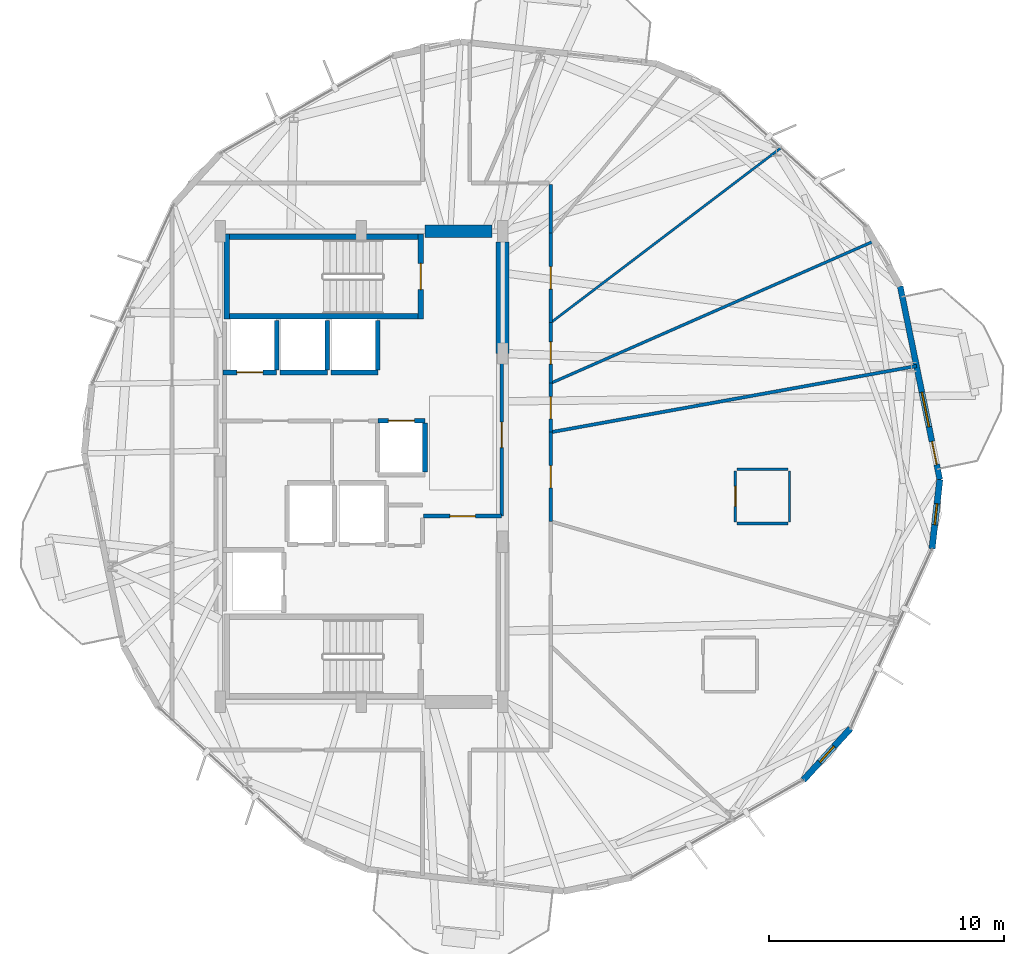
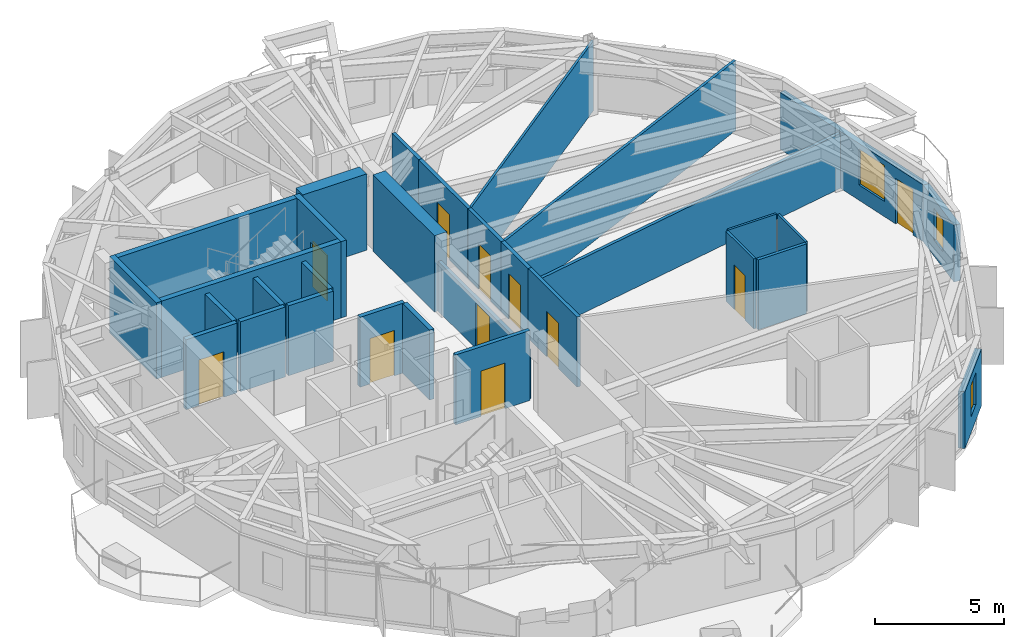
# One storey, part 18 of 22: 31 walls, 11 doors, 3 windows, 14 openings.
"""IFC4 building model written with IfcOpenShell, lengths in metres."""

from ifc_helpers import new_model, si_unit, direction, frame, frame_2d, origin, place, context, subcontext, project, spatial, rectangle, extrude, material, layer, layer_set, type_object, element, fill, save


model = new_model("IFC4")

# Units and contexts
model_context = context("Model", 3, precision=1e-05, world=origin(), true_north=direction((0.0, 1.0)))
body_context = subcontext(model_context, "Body", "Model", "MODEL_VIEW")
ifc_project = project(units=[si_unit("LENGTHUNIT", "METRE"), si_unit("AREAUNIT", "SQUARE_METRE"), si_unit("VOLUMEUNIT", "CUBIC_METRE"), si_unit("PLANEANGLEUNIT", "RADIAN"), si_unit("MASSUNIT", "GRAM", prefix="KILO")], contexts=[model_context])

# Site, building, storey
site_placement = place(None, origin())
site = spatial("IfcSite", under=ifc_project, at=site_placement, CompositionType="ELEMENT")
building_placement = place(site_placement, origin())
building = spatial("IfcBuilding", under=site, at=building_placement, Name="Soratama Intermodal Tower", CompositionType="ELEMENT")
storey_placement = place(building_placement, frame((0.0, 0.0, 142.60009765625)))
storey = spatial("IfcBuildingStorey", under=building, at=storey_placement, Name="L34", CompositionType="ELEMENT", Elevation=142.60009765625)

# Wall, openings, door, window
ifc_material_1 = material(Name="Concrete f'c 42 MPa", Category="concrete")
ifc_layer_1 = layer(ifc_material_1, 0.25)
ifc_layer_set_1 = layer_set([ifc_layer_1], Name="Concrete f'c 42 MPa")
wall_type_1 = type_object("IfcWallType", Name="EW-BAL-250", PredefinedType="SOLIDWALL", material=ifc_layer_set_1)
wall_1_placement = place(storey_placement, frame((63.181884765625, 24.44677734375, 0.0), z_axis=(0.0, 0.0, 1.0), x_axis=(-0.200734189033, 0.979645744825, 0.0)))
wall_1 = element("IfcWall", 1, at=wall_1_placement, inside=storey, type_object=wall_type_1, Name="L34 Terrace Wall F10", PredefinedType="SOLIDWALL", context=body_context, shape_type="SweptSolid", body=[
    extrude(rectangle(XDim=8.383544921875, YDim=0.25, at=frame_2d((4.19189453125, 0.0))), origin(), (0.0, 0.0, 1.0), 2.678955078125),
])
opening_1_placement = place(wall_1_placement, frame((0.64990234375, 0.0, 0.0)))
opening_1 = element("IfcOpeningElement", 2, at=opening_1_placement, cuts=wall_1, Name="Opening ED-2", PredefinedType="OPENING", context=body_context, shape_type="SweptSolid", body=[
    extrude(rectangle(XDim=1.0, YDim=2.14990234375, at=frame_2d((0.5, 1.074951171875))), frame((0.0, 0.135009765625, 0.0), z_axis=(0.0, -1.0, 0.0), x_axis=(1.0, 0.0, 0.0)), (0.0, 0.0, 1.0), 0.27001953125),
])
opening_2_placement = place(wall_1_placement, frame((2.2900390625, 0.0, 0.719970703125)))
opening_2 = element("IfcOpeningElement", 3, at=opening_2_placement, cuts=wall_1, Name="Opening WN-1", PredefinedType="OPENING", context=body_context, shape_type="SweptSolid", body=[
    extrude(rectangle(XDim=1.5, YDim=1.699951171875, at=frame_2d((0.75, 0.85009765625))), frame((0.0, 0.135009765625, 0.0), z_axis=(0.0, -1.0, 0.0), x_axis=(1.0, 0.0, 0.0)), (0.0, 0.0, 1.0), 0.27001953125),
])
ifc_material_2 = material(Name="Double-glazed aluminium door", Category="aluminium")
door_type_1 = type_object("IfcDoorType", Name="DR-BAL-1000", OperationType="NOTDEFINED", PredefinedType="DOOR", material=ifc_material_2)
door_1_placement = place(opening_1_placement, origin())
door_1 = element("IfcDoor", 4, at=door_1_placement, inside=storey, type_object=door_type_1, Name="L34 Balcony Door F10", OperationType="SINGLE_SWING_RIGHT", OverallHeight=2.14990234375, OverallWidth=1.0, PredefinedType="DOOR", context=body_context, shape_type="SweptSolid", body=[
    extrude(rectangle(XDim=1.0, YDim=2.14990234375, at=frame_2d((0.5, 1.074951171875))), frame((0.0, 0.02490234375, 0.0), z_axis=(0.0, -1.0, 0.0), x_axis=(1.0, 0.0, 0.0)), (0.0, 0.0, 1.0), 0.050048828125),
])
fill(opening_1, door_1)
ifc_material_3 = material(Name="Double-glazed aluminium window", Category="aluminium")
window_type_1 = type_object("IfcWindowType", Name="WN-FAC-1500", PartitioningType="SINGLE_PANEL", PredefinedType="WINDOW", material=ifc_material_3)
window_1_placement = place(opening_2_placement, origin())
window_1 = element("IfcWindow", 5, at=window_1_placement, inside=storey, type_object=window_type_1, Name="L34 Window B F10", OverallHeight=1.699951171875, OverallWidth=1.5, PartitioningType="SINGLE_PANEL", PredefinedType="WINDOW", context=body_context, shape_type="SweptSolid", body=[
    extrude(rectangle(XDim=1.5, YDim=1.699951171875, at=frame_2d((0.75, 0.85009765625))), frame((0.0, 0.030029296875, 0.0), z_axis=(0.0, -1.0, 0.0), x_axis=(1.0, 0.0, 0.0)), (0.0, 0.0, 1.0), 0.06005859375),
])
fill(opening_2, window_1)

# Wall, opening, window
ifc_material_4 = material(Name="Concrete f'c 42 MPa", Category="concrete")
ifc_layer_2 = layer(ifc_material_4, 0.27001953125)
ifc_layer_set_2 = layer_set([ifc_layer_2], Name="Concrete f'c 42 MPa")
wall_type_2 = type_object("IfcWallType", Name="EW-CRN-270", PredefinedType="SOLIDWALL", material=ifc_layer_set_2)
wall_2_placement = place(storey_placement, frame((57.38330078125, 11.67529296875, 0.0), z_axis=(0.0, 0.0, 1.0), x_axis=(0.67449763944, 0.738277003834, 0.0)))
wall_2 = element("IfcWall", 6, at=wall_2_placement, inside=storey, type_object=wall_type_2, Name="L34 Corner Closure Wall 08", PredefinedType="SOLIDWALL", context=body_context, shape_type="SweptSolid", body=[
    extrude(rectangle(XDim=2.966552734375, YDim=0.27001953125, at=frame_2d((1.4833984375, 0.0))), origin(), (0.0, 0.0, 1.0), 2.678955078125),
])
opening_3_placement = place(wall_2_placement, frame((1.033203125, 0.0, 0.75)))
opening_3 = element("IfcOpeningElement", 7, at=opening_3_placement, cuts=wall_2, Name="Opening WN-6", PredefinedType="OPENING", context=body_context, shape_type="SweptSolid", body=[
    extrude(rectangle(XDim=0.89990234375, YDim=1.5, at=frame_2d((0.449951171875, 0.75))), frame((0.0, 0.14501953125, 0.0), z_axis=(0.0, -1.0, 0.0), x_axis=(1.0, 0.0, 0.0)), (0.0, 0.0, 1.0), 0.2900390625),
])
ifc_material_5 = material(Name="Double-glazed aluminium window", Category="aluminium")
window_type_2 = type_object("IfcWindowType", Name="WN-FAC-900", PartitioningType="SINGLE_PANEL", PredefinedType="WINDOW", material=ifc_material_5)
window_2_placement = place(opening_3_placement, origin())
window_2 = element("IfcWindow", 8, at=window_2_placement, inside=storey, type_object=window_type_2, Name="L34 Corner Window 08", OverallHeight=1.5, OverallWidth=0.89990234375, PartitioningType="SINGLE_PANEL", PredefinedType="WINDOW", context=body_context, shape_type="SweptSolid", body=[
    extrude(rectangle(XDim=0.89990234375, YDim=1.5, at=frame_2d((0.449951171875, 0.75))), frame((0.0, 0.030029296875, 0.0), z_axis=(0.0, -1.0, 0.0), x_axis=(1.0, 0.0, 0.0)), (0.0, 0.0, 1.0), 0.06005859375),
])
fill(opening_3, window_2)

wall_3_placement = place(storey_placement, frame((62.85009765625, 21.498779296875, 0.0), z_axis=(0.0, 0.0, 1.0), x_axis=(0.111840485986, 0.993726172391, 0.0)))
wall_3 = element("IfcWall", 9, at=wall_3_placement, inside=storey, type_object=wall_type_2, Name="L34 Corner Closure Wall 09", PredefinedType="SOLIDWALL", context=body_context, shape_type="SweptSolid", body=[
    extrude(rectangle(XDim=2.966552734375, YDim=0.27001953125, at=frame_2d((1.4833984375, 0.0))), origin(), (0.0, 0.0, 1.0), 2.678955078125),
])
opening_4_placement = place(wall_3_placement, frame((1.033203125, 0.0, 0.75)))
opening_4 = element("IfcOpeningElement", 10, at=opening_4_placement, cuts=wall_3, Name="Opening WN-6", PredefinedType="OPENING", context=body_context, shape_type="SweptSolid", body=[
    extrude(rectangle(XDim=0.89990234375, YDim=1.5, at=frame_2d((0.449951171875, 0.75))), frame((0.0, 0.14501953125, 0.0), z_axis=(0.0, -1.0, 0.0), x_axis=(1.0, 0.0, 0.0)), (0.0, 0.0, 1.0), 0.2900390625),
])
window_3_placement = place(opening_4_placement, origin())
window_3 = element("IfcWindow", 11, at=window_3_placement, inside=storey, type_object=window_type_2, Name="L34 Corner Window 09", OverallHeight=1.5, OverallWidth=0.89990234375, PartitioningType="SINGLE_PANEL", PredefinedType="WINDOW", context=body_context, shape_type="SweptSolid", body=[
    extrude(rectangle(XDim=0.89990234375, YDim=1.5, at=frame_2d((0.449951171875, 0.75))), frame((0.0, 0.030029296875, 0.0), z_axis=(0.0, -1.0, 0.0), x_axis=(1.0, 0.0, 0.0)), (0.0, 0.0, 1.0), 0.06005859375),
])
fill(opening_4, window_3)

# Wall, opening, door
ifc_material_6 = material(Name="Fire-rated gypsum stud partition", Category="concrete")
ifc_layer_3 = layer(ifc_material_6, 0.159912109375)
ifc_layer_set_3 = layer_set([ifc_layer_3], Name="Fire-rated gypsum stud partition")
wall_type_3 = type_object("IfcWallType", Name="IW-PART-R160", PredefinedType="PARTITIONING", material=ifc_layer_set_3)
wall_4_placement = place(storey_placement, frame((44.56005859375, 29.800048828125, 0.0), z_axis=(0.0, 0.0, 1.0), x_axis=(0.0, -1.0, 0.0)))
wall_4 = element("IfcWall", 12, at=wall_4_placement, inside=storey, type_object=wall_type_3, Name="L34 Partition W-L34-TP010", PredefinedType="PARTITIONING", context=body_context, shape_type="SweptSolid", body=[
    extrude(rectangle(XDim=6.91015625, YDim=0.159912109375, at=frame_2d((3.455078125, 0.0))), origin(), (0.0, 0.0, 1.0), 2.33984375),
])
opening_5_placement = place(wall_4_placement, frame((2.9150390625, 0.0, 0.0)))
opening_5 = element("IfcOpeningElement", 13, at=opening_5_placement, cuts=wall_4, Name="Opening ID-1", PredefinedType="OPENING", context=body_context, shape_type="SweptSolid", body=[
    extrude(rectangle(XDim=1.080078125, YDim=2.14990234375, at=frame_2d((0.5400390625, 1.074951171875))), frame((0.0, 0.08984375, 0.0), z_axis=(0.0, -1.0, 0.0), x_axis=(1.0, 0.0, 0.0)), (0.0, 0.0, 1.0), 0.179931640625),
])
ifc_material_7 = material(Name="Solid hardwood acoustic door", Category="wood")
door_type_2 = type_object("IfcDoorType", Name="DR-LOB-FD60", OperationType="NOTDEFINED", PredefinedType="DOOR", material=ifc_material_7)
door_2_placement = place(opening_5_placement, origin())
door_2 = element("IfcDoor", 14, at=door_2_placement, inside=storey, type_object=door_type_2, Name="L34 Door D-L34-TP004", OperationType="SINGLE_SWING_LEFT", OverallHeight=2.14990234375, OverallWidth=1.080078125, PredefinedType="DOOR", context=body_context, shape_type="SweptSolid", body=[
    extrude(rectangle(XDim=1.080078125, YDim=2.14990234375, at=frame_2d((0.5400390625, 1.074951171875))), frame((0.0, 0.02490234375, 0.0), z_axis=(0.0, -1.0, 0.0), x_axis=(1.0, 0.0, 0.0)), (0.0, 0.0, 1.0), 0.050048828125),
])
fill(opening_5, door_2)

wall_5_placement = place(storey_placement, frame((46.64990234375, 34.9208984375, 0.0), z_axis=(0.0, 0.0, 1.0), x_axis=(0.0, -1.0, 0.0)))
wall_5 = element("IfcWall", 15, at=wall_5_placement, inside=storey, type_object=wall_type_3, Name="L34 Partition W-L34-TP021", PredefinedType="PARTITIONING", context=body_context, shape_type="SweptSolid", body=[
    extrude(rectangle(XDim=3.805908203125, YDim=0.159912109375, at=frame_2d((1.90283203125, 0.0))), origin(), (0.0, 0.0, 1.0), 3.2998046875),
])
opening_6_placement = place(wall_5_placement, frame((1.427978515625, 0.0, 0.0)))
opening_6 = element("IfcOpeningElement", 16, at=opening_6_placement, cuts=wall_5, Name="Opening ID-3", PredefinedType="OPENING", context=body_context, shape_type="SweptSolid", body=[
    extrude(rectangle(XDim=0.949951171875, YDim=2.14990234375, at=frame_2d((0.47509765625, 1.074951171875))), frame((0.0, 0.08984375, 0.0), z_axis=(0.0, -1.0, 0.0), x_axis=(1.0, 0.0, 0.0)), (0.0, 0.0, 1.0), 0.179931640625),
])
ifc_material_8 = material(Name="Solid hardwood acoustic door", Category="wood")
door_type_3 = type_object("IfcDoorType", Name="DR-ROOM-950", OperationType="NOTDEFINED", PredefinedType="DOOR", material=ifc_material_8)
door_3_placement = place(opening_6_placement, origin())
door_3 = element("IfcDoor", 17, at=door_3_placement, inside=storey, type_object=door_type_3, Name="L34 Door D-L34-TP010", OperationType="SINGLE_SWING_LEFT", OverallHeight=2.14990234375, OverallWidth=0.949951171875, PredefinedType="DOOR", context=body_context, shape_type="SweptSolid", body=[
    extrude(rectangle(XDim=0.949951171875, YDim=2.14990234375, at=frame_2d((0.47509765625, 1.074951171875))), frame((0.0, 0.02490234375, 0.0), z_axis=(0.0, -1.0, 0.0), x_axis=(1.0, 0.0, 0.0)), (0.0, 0.0, 1.0), 0.050048828125),
])
fill(opening_6, door_3)

wall_6_placement = place(storey_placement, frame((46.64990234375, 26.4580078125, 0.0), z_axis=(0.0, 0.0, 1.0), x_axis=(0.0, -1.0, 0.0)))
wall_6 = element("IfcWall", 18, at=wall_6_placement, inside=storey, type_object=wall_type_3, Name="L34 Partition W-L34-TP022", PredefinedType="PARTITIONING", context=body_context, shape_type="SweptSolid", body=[
    extrude(rectangle(XDim=3.7900390625, YDim=0.159912109375, at=frame_2d((1.89501953125, 0.0))), origin(), (0.0, 0.0, 1.0), 3.2998046875),
])
opening_7_placement = place(wall_6_placement, frame((1.419921875, 0.0, 0.0)))
opening_7 = element("IfcOpeningElement", 19, at=opening_7_placement, cuts=wall_6, Name="Opening ID-3", PredefinedType="OPENING", context=body_context, shape_type="SweptSolid", body=[
    extrude(rectangle(XDim=0.949951171875, YDim=2.14990234375, at=frame_2d((0.47509765625, 1.074951171875))), frame((0.0, 0.08984375, 0.0), z_axis=(0.0, -1.0, 0.0), x_axis=(1.0, 0.0, 0.0)), (0.0, 0.0, 1.0), 0.179931640625),
])
door_4_placement = place(opening_7_placement, origin())
door_4 = element("IfcDoor", 20, at=door_4_placement, inside=storey, type_object=door_type_3, Name="L34 Door D-L34-TP011", OperationType="SINGLE_SWING_RIGHT", OverallHeight=2.14990234375, OverallWidth=0.949951171875, PredefinedType="DOOR", context=body_context, shape_type="SweptSolid", body=[
    extrude(rectangle(XDim=0.949951171875, YDim=2.14990234375, at=frame_2d((0.47509765625, 1.074951171875))), frame((0.0, 0.02490234375, 0.0), z_axis=(0.0, -1.0, 0.0), x_axis=(1.0, 0.0, 0.0)), (0.0, 0.0, 1.0), 0.050048828125),
])
fill(opening_7, door_4)

wall_7_placement = place(storey_placement, frame((46.64990234375, 31.114990234375, 0.0), z_axis=(0.0, 0.0, 1.0), x_axis=(0.0, -1.0, 0.0)))
wall_7 = element("IfcWall", 21, at=wall_7_placement, inside=storey, type_object=wall_type_3, Name="L34 Partition W-L34-TP028", PredefinedType="PARTITIONING", context=body_context, shape_type="SweptSolid", body=[
    extrude(rectangle(XDim=2.573974609375, YDim=0.159912109375, at=frame_2d((1.287109375, 0.0))), origin(), (0.0, 0.0, 1.0), 3.2998046875),
])
opening_8_placement = place(wall_7_placement, frame((0.81201171875, 0.0, 0.0)))
opening_8 = element("IfcOpeningElement", 22, at=opening_8_placement, cuts=wall_7, Name="Opening ID-3", PredefinedType="OPENING", context=body_context, shape_type="SweptSolid", body=[
    extrude(rectangle(XDim=0.949951171875, YDim=2.14990234375, at=frame_2d((0.47509765625, 1.074951171875))), frame((0.0, 0.08984375, 0.0), z_axis=(0.0, -1.0, 0.0), x_axis=(1.0, 0.0, 0.0)), (0.0, 0.0, 1.0), 0.179931640625),
])
door_5_placement = place(opening_8_placement, origin())
door_5 = element("IfcDoor", 23, at=door_5_placement, inside=storey, type_object=door_type_3, Name="L34 Door D-L34-TP014", OperationType="SINGLE_SWING_LEFT", OverallHeight=2.14990234375, OverallWidth=0.949951171875, PredefinedType="DOOR", context=body_context, shape_type="SweptSolid", body=[
    extrude(rectangle(XDim=0.949951171875, YDim=2.14990234375, at=frame_2d((0.47509765625, 1.074951171875))), frame((0.0, 0.02490234375, 0.0), z_axis=(0.0, -1.0, 0.0), x_axis=(1.0, 0.0, 0.0)), (0.0, 0.0, 1.0), 0.050048828125),
])
fill(opening_8, door_5)

wall_8_placement = place(storey_placement, frame((46.64990234375, 28.541015625, 0.0), z_axis=(0.0, 0.0, 1.0), x_axis=(0.0, -1.0, 0.0)))
wall_8 = element("IfcWall", 24, at=wall_8_placement, inside=storey, type_object=wall_type_3, Name="L34 Partition W-L34-TP037", PredefinedType="PARTITIONING", context=body_context, shape_type="SweptSolid", body=[
    extrude(rectangle(XDim=2.0830078125, YDim=0.159912109375, at=frame_2d((1.04150390625, 0.0))), origin(), (0.0, 0.0, 1.0), 3.2998046875),
])
opening_9_placement = place(wall_8_placement, frame((0.56689453125, 0.0, 0.0)))
opening_9 = element("IfcOpeningElement", 25, at=opening_9_placement, cuts=wall_8, Name="Opening ID-3", PredefinedType="OPENING", context=body_context, shape_type="SweptSolid", body=[
    extrude(rectangle(XDim=0.949951171875, YDim=2.14990234375, at=frame_2d((0.47509765625, 1.074951171875))), frame((0.0, 0.08984375, 0.0), z_axis=(0.0, -1.0, 0.0), x_axis=(1.0, 0.0, 0.0)), (0.0, 0.0, 1.0), 0.179931640625),
])
door_6_placement = place(opening_9_placement, origin())
door_6 = element("IfcDoor", 26, at=door_6_placement, inside=storey, type_object=door_type_3, Name="L34 Door D-L34-TP017", OperationType="SINGLE_SWING_RIGHT", OverallHeight=2.14990234375, OverallWidth=0.949951171875, PredefinedType="DOOR", context=body_context, shape_type="SweptSolid", body=[
    extrude(rectangle(XDim=0.949951171875, YDim=2.14990234375, at=frame_2d((0.47509765625, 1.074951171875))), frame((0.0, 0.02490234375, 0.0), z_axis=(0.0, -1.0, 0.0), x_axis=(1.0, 0.0, 0.0)), (0.0, 0.0, 1.0), 0.050048828125),
])
fill(opening_9, door_6)

# Wall
wall_9_placement = place(storey_placement, frame((46.64990234375, 36.97998046875, 0.0), z_axis=(0.0, 0.0, 1.0), x_axis=(0.0, -1.0, 0.0)))
element("IfcWall", 27, at=wall_9_placement, inside=storey, type_object=wall_type_3, Name="L34 Partition W-L34-TP038", PredefinedType="PARTITIONING", context=body_context, shape_type="SweptSolid", body=[
    extrude(rectangle(XDim=2.05908203125, YDim=0.159912109375, at=frame_2d((1.029541015625, 0.0))), origin(), (0.0, 0.0, 1.0), 3.2998046875),
])

# Wall, opening, door
ifc_material_9 = material(Name="Fire-rated gypsum stud partition", Category="concrete")
ifc_layer_4 = layer(ifc_material_9, 0.169921875)
ifc_layer_set_4 = layer_set([ifc_layer_4], Name="Fire-rated gypsum stud partition")
wall_type_4 = type_object("IfcWallType", Name="IW-PART-R170", PredefinedType="PARTITIONING", material=ifc_layer_set_4)
wall_10_placement = place(storey_placement, frame((41.239990234375, 22.889892578125, 0.0), z_axis=(0.0, 0.0, 1.0), x_axis=(1.0, 0.0, 0.0)))
wall_10 = element("IfcWall", 28, at=wall_10_placement, inside=storey, type_object=wall_type_4, Name="L34 Partition W-L34-TP023", PredefinedType="PARTITIONING", context=body_context, shape_type="SweptSolid", body=[
    extrude(rectangle(XDim=3.320068359375, YDim=0.169921875, at=frame_2d((1.66015625, 0.0))), origin(), (0.0, 0.0, 1.0), 3.2998046875),
])
opening_10_placement = place(wall_10_placement, frame((1.1201171875, 0.0, 0.0)))
opening_10 = element("IfcOpeningElement", 29, at=opening_10_placement, cuts=wall_10, Name="Opening ID-0", PredefinedType="OPENING", context=body_context, shape_type="SweptSolid", body=[
    extrude(rectangle(XDim=1.080078125, YDim=2.14990234375, at=frame_2d((0.5400390625, 1.074951171875))), frame((0.0, 0.094970703125, 0.0), z_axis=(0.0, -1.0, 0.0), x_axis=(1.0, 0.0, 0.0)), (0.0, 0.0, 1.0), 0.18994140625),
])
ifc_material_10 = material(Name="Solid hardwood acoustic door", Category="wood")
door_type_4 = type_object("IfcDoorType", Name="DR-LOB-FD90", OperationType="NOTDEFINED", PredefinedType="DOOR", material=ifc_material_10)
door_7_placement = place(opening_10_placement, origin())
door_7 = element("IfcDoor", 30, at=door_7_placement, inside=storey, type_object=door_type_4, Name="L34 Door D-L34-TP012", OperationType="SINGLE_SWING_LEFT", OverallHeight=2.14990234375, OverallWidth=1.080078125, PredefinedType="DOOR", context=body_context, shape_type="SweptSolid", body=[
    extrude(rectangle(XDim=1.080078125, YDim=2.14990234375, at=frame_2d((0.5400390625, 1.074951171875))), frame((0.0, 0.02490234375, 0.0), z_axis=(0.0, -1.0, 0.0), x_axis=(1.0, 0.0, 0.0)), (0.0, 0.0, 1.0), 0.050048828125),
])
fill(opening_10, door_7)

# Walls
ifc_material_11 = material(Name="Fire-rated gypsum stud partition", Category="concrete")
ifc_layer_5 = layer(ifc_material_11, 0.10009765625)
ifc_layer_set_5 = layer_set([ifc_layer_5], Name="Fire-rated gypsum stud partition")
wall_type_5 = type_object("IfcWallType", Name="IW-PART-S100", PredefinedType="PARTITIONING", material=ifc_layer_set_5)
wall_11_placement = place(storey_placement, frame((46.64990234375, 31.114990234375, 0.0), z_axis=(0.0, 0.0, 1.0), x_axis=(0.796330811918, 0.60486133782, 0.0)))
element("IfcWall", 31, at=wall_11_placement, inside=storey, type_object=wall_type_5, Name="L34 Partition W-L34-TP005", PredefinedType="PARTITIONING", context=body_context, shape_type="SweptSolid", body=[
    extrude(rectangle(XDim=12.27392578125, YDim=0.10009765625, at=frame_2d((6.136962890625, 0.0))), origin(), (0.0, 0.0, 1.0), 3.2998046875),
])
for number, where, z_axis, x_axis, name in (
    (32, (56.7958984375, 22.64794921875, 0.0), (0.0, 0.0, 1.0), (0.0, 1.0, 0.0), "L34 Partition W-L34-TP030"),
    (33, (56.72607421875, 24.8779296875, 0.0), (0.0, 0.0, 1.0), (-1.0, 0.0, 0.0), "L34 Partition W-L34-TP035"),
):
    element("IfcWall", number, at=place(storey_placement, frame(where, z_axis=z_axis, x_axis=x_axis)), inside=storey, type_object=wall_type_5, Name=name, PredefinedType="PARTITIONING", context=body_context, shape_type="SweptSolid", body=[
        extrude(rectangle(XDim=2.16015625, YDim=0.10009765625, at=frame_2d((1.080078125, 0.0))), origin(), (0.0, 0.0, 1.0), 3.2998046875),
    ])

# Wall, opening, door
ifc_material_12 = material(Name="Fire-rated gypsum stud partition", Category="concrete")
ifc_layer_6 = layer(ifc_material_12, 0.110107421875)
ifc_layer_set_6 = layer_set([ifc_layer_6], Name="Fire-rated gypsum stud partition")
wall_type_6 = type_object("IfcWallType", Name="IW-PART-S110", PredefinedType="PARTITIONING", material=ifc_layer_set_6)
wall_12_placement = place(storey_placement, frame((54.49609375, 24.80810546875, 0.0), z_axis=(0.0, 0.0, 1.0), x_axis=(0.0, -1.0, 0.0)))
wall_12 = element("IfcWall", 34, at=wall_12_placement, inside=storey, type_object=wall_type_6, Name="L34 Partition W-L34-TP029", PredefinedType="PARTITIONING", context=body_context, shape_type="SweptSolid", body=[
    extrude(rectangle(XDim=2.16015625, YDim=0.110107421875, at=frame_2d((1.080078125, 0.0))), origin(), (0.0, 0.0, 1.0), 3.2998046875),
])
opening_11_placement = place(wall_12_placement, frame((0.655029296875, 0.0, 0.0)))
opening_11 = element("IfcOpeningElement", 35, at=opening_11_placement, cuts=wall_12, Name="Opening ID-4", PredefinedType="OPENING", context=body_context, shape_type="SweptSolid", body=[
    extrude(rectangle(XDim=0.85009765625, YDim=2.10009765625, at=frame_2d((0.425048828125, 1.050048828125))), frame((0.0, 0.06494140625, 0.0), z_axis=(0.0, -1.0, 0.0), x_axis=(1.0, 0.0, 0.0)), (0.0, 0.0, 1.0), 0.130126953125),
])
ifc_material_13 = material(Name="Solid hardwood acoustic door", Category="wood")
door_type_5 = type_object("IfcDoorType", Name="DR-BATH-850", OperationType="NOTDEFINED", PredefinedType="DOOR", material=ifc_material_13)
door_8_placement = place(opening_11_placement, origin())
door_8 = element("IfcDoor", 36, at=door_8_placement, inside=storey, type_object=door_type_5, Name="L34 Door D-L34-TP015", OperationType="SINGLE_SWING_RIGHT", OverallHeight=2.10009765625, OverallWidth=0.85009765625, PredefinedType="DOOR", context=body_context, shape_type="SweptSolid", body=[
    extrude(rectangle(XDim=0.85009765625, YDim=2.10009765625, at=frame_2d((0.425048828125, 1.050048828125))), frame((0.0, 0.02490234375, 0.0), z_axis=(0.0, -1.0, 0.0), x_axis=(1.0, 0.0, 0.0)), (0.0, 0.0, 1.0), 0.050048828125),
])
fill(opening_11, door_8)

# Walls
ifc_material_14 = material(Name="Fire-rated gypsum stud partition", Category="concrete")
ifc_layer_7 = layer(ifc_material_14, 0.1201171875)
ifc_layer_set_7 = layer_set([ifc_layer_7], Name="Fire-rated gypsum stud partition")
wall_type_7 = type_object("IfcWallType", Name="IW-PART-S120", PredefinedType="PARTITIONING", material=ifc_layer_set_7)
wall_13_placement = place(storey_placement, frame((46.64990234375, 28.541015625, 0.0), z_axis=(0.0, 0.0, 1.0), x_axis=(0.915393928304, 0.40255925778, 0.0)))
element("IfcWall", 37, at=wall_13_placement, inside=storey, type_object=wall_type_7, Name="L34 Partition W-L34-TP003", PredefinedType="PARTITIONING", context=body_context, shape_type="SweptSolid", body=[
    extrude(rectangle(XDim=15.1455078125, YDim=0.1201171875, at=frame_2d((7.57275390625, 0.0))), origin(), (0.0, 0.0, 1.0), 3.2998046875),
])
ifc_material_15 = material(Name="Fire-rated gypsum stud partition", Category="concrete")
ifc_layer_8 = layer(ifc_material_15, 0.139892578125)
ifc_layer_set_8 = layer_set([ifc_layer_8], Name="Fire-rated gypsum stud partition")
wall_type_8 = type_object("IfcWallType", Name="IW-PART-S140", PredefinedType="PARTITIONING", material=ifc_layer_set_8)
wall_14_placement = place(storey_placement, frame((62.193115234375, 29.27197265625, 0.0), z_axis=(0.0, 0.0, 1.0), x_axis=(-0.98400416062, -0.178145479546, 0.0)))
element("IfcWall", 38, at=wall_14_placement, inside=storey, type_object=wall_type_8, Name="L34 Partition W-L34-TP001", PredefinedType="PARTITIONING", context=body_context, shape_type="SweptSolid", body=[
    extrude(rectangle(XDim=15.7958984375, YDim=0.139892578125, at=frame_2d((7.89794921875, 0.0))), origin(), (0.0, 0.0, 1.0), 2.594970703125),
])
wall_15_placement = place(storey_placement, frame((54.56591796875, 22.577880859375, 0.0), z_axis=(0.0, 0.0, 1.0), x_axis=(1.0, 0.0, 0.0)))
element("IfcWall", 39, at=wall_15_placement, inside=storey, type_object=wall_type_8, Name="L34 Partition W-L34-TP036", PredefinedType="PARTITIONING", context=body_context, shape_type="SweptSolid", body=[
    extrude(rectangle(XDim=2.16015625, YDim=0.139892578125, at=frame_2d((1.080078125, 0.0))), origin(), (0.0, 0.0, 1.0), 3.2998046875),
])

# Wall, opening, door
ifc_material_16 = material(Name="Concrete f'c 42 MPa", Category="concrete")
ifc_layer_9 = layer(ifc_material_16, 0.199951171875)
ifc_layer_set_9 = layer_set([ifc_layer_9], Name="Concrete f'c 42 MPa")
wall_type_9 = type_object("IfcWallType", Name="IW-SHAFT-200", PredefinedType="SOLIDWALL", material=ifc_layer_set_9)
wall_16_placement = place(storey_placement, frame((39.300048828125, 26.949951171875, 0.0), z_axis=(0.0, 0.0, 1.0), x_axis=(1.0, 0.0, 0.0)))
wall_16 = element("IfcWall", 40, at=wall_16_placement, inside=storey, type_object=wall_type_9, Name="L34 PL-M1 Hoistway Wall N", PredefinedType="SOLIDWALL", context=body_context, shape_type="SweptSolid", body=[
    extrude(rectangle(XDim=2.0, YDim=0.199951171875, at=frame_2d((1.0, 0.0))), origin(), (0.0, 0.0, 1.0), 3.2998046875),
])
opening_12_placement = place(wall_16_placement, frame((0.449951171875, 0.0, 0.0)))
opening_12 = element("IfcOpeningElement", 41, at=opening_12_placement, cuts=wall_16, Name="Opening LD-1", PredefinedType="OPENING", context=body_context, shape_type="SweptSolid", body=[
    extrude(rectangle(XDim=1.10009765625, YDim=2.14990234375, at=frame_2d((0.550048828125, 1.074951171875))), frame((0.0, 0.10986328125, 0.0), z_axis=(0.0, -1.0, 0.0), x_axis=(1.0, 0.0, 0.0)), (0.0, 0.0, 1.0), 0.219970703125),
])
ifc_material_17 = material(Name="Steel fire door", Category="steel")
door_type_6 = type_object("IfcDoorType", Name="DR-LIFT-SLIDE", OperationType="NOTDEFINED", PredefinedType="DOOR", material=ifc_material_17)
door_9_placement = place(opening_12_placement, origin())
door_9 = element("IfcDoor", 42, at=door_9_placement, inside=storey, type_object=door_type_6, Name="L34 PL-M1 Sliding Landing Door", OperationType="SLIDING_TO_LEFT", OverallHeight=2.14990234375, OverallWidth=1.10009765625, PredefinedType="DOOR", context=body_context, shape_type="SweptSolid", body=[
    extrude(rectangle(XDim=1.10009765625, YDim=2.14990234375, at=frame_2d((0.550048828125, 1.074951171875))), frame((0.0, 0.02490234375, 0.0), z_axis=(0.0, -1.0, 0.0), x_axis=(1.0, 0.0, 0.0)), (0.0, 0.0, 1.0), 0.050048828125),
])
fill(opening_12, door_9)

# Wall
wall_17_placement = place(storey_placement, frame((41.300048828125, 24.760009765625, 0.0), z_axis=(0.0, 0.0, 1.0), x_axis=(0.0, 1.0, 0.0)))
element("IfcWall", 43, at=wall_17_placement, inside=storey, type_object=wall_type_9, Name="L34 PL-M1 Hoistway Wall E", PredefinedType="SOLIDWALL", context=body_context, shape_type="SweptSolid", body=[
    extrude(rectangle(XDim=2.080078125, YDim=0.199951171875, at=frame_2d((1.0400390625, 0.0))), origin(), (0.0, 0.0, 1.0), 3.2998046875),
])

# Wall, opening, door
wall_18_placement = place(storey_placement, frame((32.719970703125, 29.0, 0.0), z_axis=(0.0, 0.0, 1.0), x_axis=(1.0, 0.0, 0.0)))
wall_18 = element("IfcWall", 44, at=wall_18_placement, inside=storey, type_object=wall_type_9, Name="L34 PL-M2 Hoistway Wall S", PredefinedType="SOLIDWALL", context=body_context, shape_type="SweptSolid", body=[
    extrude(rectangle(XDim=2.280029296875, YDim=0.199951171875, at=frame_2d((1.14013671875, 0.0))), origin(), (0.0, 0.0, 1.0), 3.2998046875),
])
opening_13_placement = place(wall_18_placement, frame((0.590087890625, 0.0, 0.0)))
opening_13 = element("IfcOpeningElement", 45, at=opening_13_placement, cuts=wall_18, Name="Opening LD-1", PredefinedType="OPENING", context=body_context, shape_type="SweptSolid", body=[
    extrude(rectangle(XDim=1.10009765625, YDim=2.14990234375, at=frame_2d((0.550048828125, 1.074951171875))), frame((0.0, 0.10986328125, 0.0), z_axis=(0.0, -1.0, 0.0), x_axis=(1.0, 0.0, 0.0)), (0.0, 0.0, 1.0), 0.219970703125),
])
door_10_placement = place(opening_13_placement, origin())
door_10 = element("IfcDoor", 46, at=door_10_placement, inside=storey, type_object=door_type_6, Name="L34 PL-M2 Sliding Landing Door", OperationType="SLIDING_TO_LEFT", OverallHeight=2.14990234375, OverallWidth=1.10009765625, PredefinedType="DOOR", context=body_context, shape_type="SweptSolid", body=[
    extrude(rectangle(XDim=1.10009765625, YDim=2.14990234375, at=frame_2d((0.550048828125, 1.074951171875))), frame((0.0, 0.02490234375, 0.0), z_axis=(0.0, -1.0, 0.0), x_axis=(1.0, 0.0, 0.0)), (0.0, 0.0, 1.0), 0.050048828125),
])
fill(opening_13, door_10)

# Walls
wall_19_placement = place(storey_placement, frame((35.0, 29.110107421875, 0.0), z_axis=(0.0, 0.0, 1.0), x_axis=(0.0, 1.0, 0.0)))
element("IfcWall", 47, at=wall_19_placement, inside=storey, type_object=wall_type_9, Name="L34 PL-M2 Hoistway Wall E", PredefinedType="SOLIDWALL", context=body_context, shape_type="SweptSolid", body=[
    extrude(rectangle(XDim=2.099853515625, YDim=0.199951171875, at=frame_2d((1.0498046875, 0.0))), origin(), (0.0, 0.0, 1.0), 3.2998046875),
])
wall_20_placement = place(storey_placement, frame((35.14990234375, 29.0, 0.0), z_axis=(0.0, 0.0, 1.0), x_axis=(1.0, 0.0, 0.0)))
element("IfcWall", 48, at=wall_20_placement, inside=storey, type_object=wall_type_9, Name="L34 PL-H1 Hoistway Wall S", PredefinedType="SOLIDWALL", context=body_context, shape_type="SweptSolid", body=[
    extrude(rectangle(XDim=2.0, YDim=0.199951171875, at=frame_2d((1.0, 0.0))), origin(), (0.0, 0.0, 1.0), 3.2998046875),
])
wall_21_placement = place(storey_placement, frame((37.14990234375, 29.110107421875, 0.0), z_axis=(0.0, 0.0, 1.0), x_axis=(0.0, 1.0, 0.0)))
element("IfcWall", 49, at=wall_21_placement, inside=storey, type_object=wall_type_9, Name="L34 PL-H1 Hoistway Wall E", PredefinedType="SOLIDWALL", context=body_context, shape_type="SweptSolid", body=[
    extrude(rectangle(XDim=2.099853515625, YDim=0.199951171875, at=frame_2d((1.0498046875, 0.0))), origin(), (0.0, 0.0, 1.0), 3.2998046875),
])
wall_22_placement = place(storey_placement, frame((37.300048828125, 29.0, 0.0), z_axis=(0.0, 0.0, 1.0), x_axis=(1.0, 0.0, 0.0)))
element("IfcWall", 50, at=wall_22_placement, inside=storey, type_object=wall_type_9, Name="L34 PL-H2 Hoistway Wall S", PredefinedType="SOLIDWALL", context=body_context, shape_type="SweptSolid", body=[
    extrude(rectangle(XDim=2.0, YDim=0.199951171875, at=frame_2d((1.0, 0.0))), origin(), (0.0, 0.0, 1.0), 3.2998046875),
])
wall_23_placement = place(storey_placement, frame((39.300048828125, 29.110107421875, 0.0), z_axis=(0.0, 0.0, 1.0), x_axis=(0.0, 1.0, 0.0)))
element("IfcWall", 51, at=wall_23_placement, inside=storey, type_object=wall_type_9, Name="L34 PL-H2 Hoistway Wall E", PredefinedType="SOLIDWALL", context=body_context, shape_type="SweptSolid", body=[
    extrude(rectangle(XDim=2.099853515625, YDim=0.199951171875, at=frame_2d((1.0498046875, 0.0))), origin(), (0.0, 0.0, 1.0), 3.2998046875),
])
ifc_material_18 = material(Name="Concrete f'c 56 MPa", Category="concrete")
ifc_layer_10 = layer(ifc_material_18, 0.550048828125)
ifc_layer_set_10 = layer_set([ifc_layer_10], Name="Concrete f'c 56 MPa")
wall_type_10 = type_object("IfcWallType", Name="SW-CORE-550", PredefinedType="SHEAR", material=ifc_layer_set_10)
wall_24_placement = place(storey_placement, frame((41.300048828125, 35.0, 0.0), z_axis=(0.0, 0.0, 1.0), x_axis=(1.0, 0.0, 0.0)))
element("IfcWall", 52, at=wall_24_placement, inside=storey, type_object=wall_type_10, Name="L34 Core Shear Wall CW-NE", PredefinedType="SHEAR", context=body_context, shape_type="SweptSolid", body=[
    extrude(rectangle(XDim=2.849853515625, YDim=0.550048828125, at=frame_2d((1.4248046875, 0.0))), origin(), (0.0, 0.0, 1.0), 3.599853515625),
])
wall_25_placement = place(storey_placement, frame((44.60009765625, 29.800048828125, 0.0), z_axis=(0.0, 0.0, 1.0), x_axis=(0.0, 1.0, 0.0)))
element("IfcWall", 53, at=wall_25_placement, inside=storey, type_object=wall_type_10, Name="L34 Core Shear Wall CW-EN", PredefinedType="SHEAR", context=body_context, shape_type="SweptSolid", body=[
    extrude(rectangle(XDim=4.75, YDim=0.550048828125, at=frame_2d((2.375, 0.0))), origin(), (0.0, 0.0, 1.0), 3.599853515625),
])
ifc_material_19 = material(Name="Concrete f'c 56 MPa", Category="concrete")
ifc_layer_11 = layer(ifc_material_19, 0.239990234375)
ifc_layer_set_11 = layer_set([ifc_layer_11], Name="Concrete f'c 56 MPa")
wall_type_11 = type_object("IfcWallType", Name="SW-STAIR-240", PredefinedType="SHEAR", material=ifc_layer_set_11)
wall_26_placement = place(storey_placement, frame((32.8798828125, 31.260009765625, 0.0), z_axis=(0.0, 0.0, 1.0), x_axis=(0.0, 1.0, 0.0)))
element("IfcWall", 54, at=wall_26_placement, inside=storey, type_object=wall_type_11, Name="L34 ST-2 Shaft Shear Wall W", PredefinedType="SHEAR", context=body_context, shape_type="SweptSolid", body=[
    extrude(rectangle(XDim=3.6298828125, YDim=0.239990234375, at=frame_2d((1.81494140625, 0.0))), origin(), (0.0, 0.0, 1.0), 3.599853515625),
])

# Wall, opening, door
wall_27_placement = place(storey_placement, frame((41.1201171875, 31.260009765625, 0.0), z_axis=(0.0, 0.0, 1.0), x_axis=(0.0, 1.0, 0.0)))
wall_27 = element("IfcWall", 55, at=wall_27_placement, inside=storey, type_object=wall_type_11, Name="L34 ST-2 Shaft Shear Wall E", PredefinedType="SHEAR", context=body_context, shape_type="SweptSolid", body=[
    extrude(rectangle(XDim=3.6298828125, YDim=0.239990234375, at=frame_2d((1.81494140625, 0.0))), origin(), (0.0, 0.0, 1.0), 3.599853515625),
])
opening_14_placement = place(wall_27_placement, frame((1.2548828125, 0.0, 0.0)))
opening_14 = element("IfcOpeningElement", 56, at=opening_14_placement, cuts=wall_27, Name="Opening SD-1", PredefinedType="OPENING", context=body_context, shape_type="SweptSolid", body=[
    extrude(rectangle(XDim=1.1201171875, YDim=2.14990234375, at=frame_2d((0.56005859375, 1.074951171875))), frame((0.0, 0.1298828125, 0.0), z_axis=(0.0, -1.0, 0.0), x_axis=(1.0, 0.0, 0.0)), (0.0, 0.0, 1.0), 0.260009765625),
])
ifc_material_20 = material(Name="Steel fire door", Category="steel")
door_type_7 = type_object("IfcDoorType", Name="DR-STAIR-FD90", OperationType="NOTDEFINED", PredefinedType="DOOR", material=ifc_material_20)
door_11_placement = place(opening_14_placement, origin())
door_11 = element("IfcDoor", 57, at=door_11_placement, inside=storey, type_object=door_type_7, Name="L34 ST-2 Exit Stair Door", OperationType="SINGLE_SWING_RIGHT", OverallHeight=2.14990234375, OverallWidth=1.1201171875, PredefinedType="DOOR", context=body_context, shape_type="SweptSolid", body=[
    extrude(rectangle(XDim=1.1201171875, YDim=2.14990234375, at=frame_2d((0.56005859375, 1.074951171875))), frame((0.0, 0.02490234375, 0.0), z_axis=(0.0, -1.0, 0.0), x_axis=(1.0, 0.0, 0.0)), (0.0, 0.0, 1.0), 0.050048828125),
])
fill(opening_14, door_11)

# Walls
for number, where, z_axis, x_axis, name in (
    (58, (33.0, 31.3798828125, 0.0), (0.0, 0.0, 1.0), (1.0, 0.0, 0.0), "L34 ST-2 Shaft Shear Wall S"),
    (59, (33.0, 34.77001953125, 0.0), (0.0, 0.0, 1.0), (1.0, 0.0, 0.0), "L34 ST-2 Shaft Shear Wall N"),
):
    element("IfcWall", number, at=place(storey_placement, frame(where, z_axis=z_axis, x_axis=x_axis)), inside=storey, type_object=wall_type_11, Name=name, PredefinedType="SHEAR", context=body_context, shape_type="SweptSolid", body=[
        extrude(rectangle(XDim=8.0, YDim=0.239990234375, at=frame_2d((4.0, 0.0))), origin(), (0.0, 0.0, 1.0), 3.599853515625),
    ])

save(model, "model.ifc")
